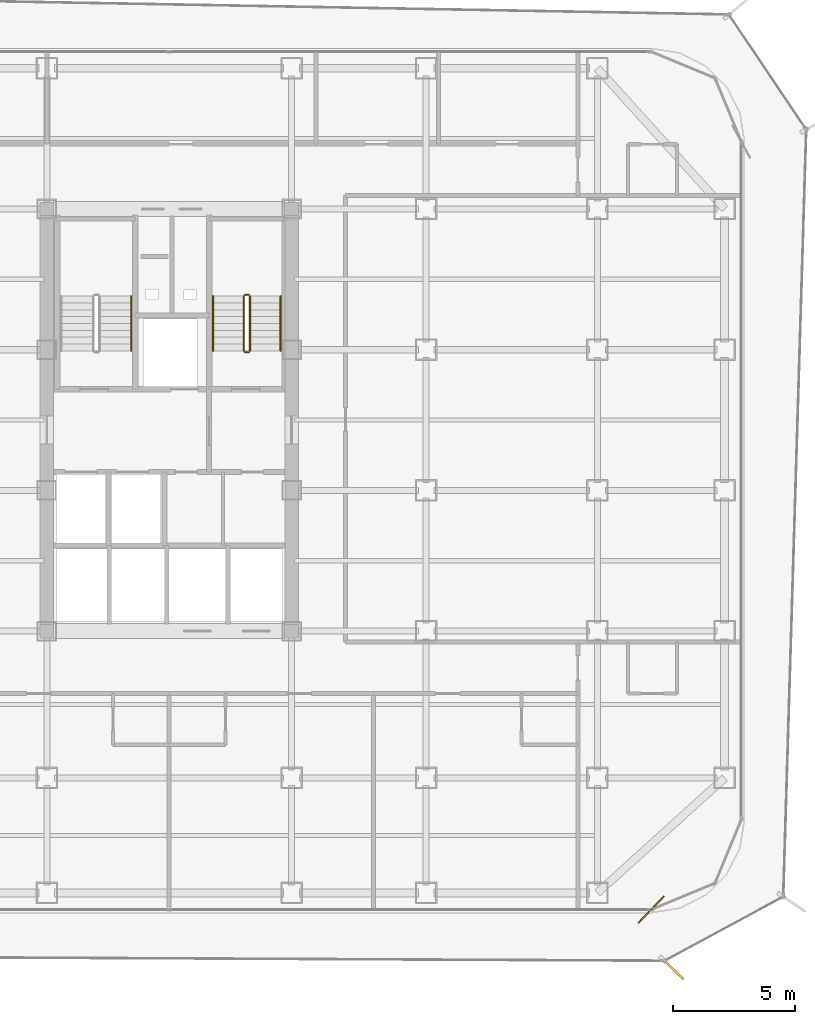
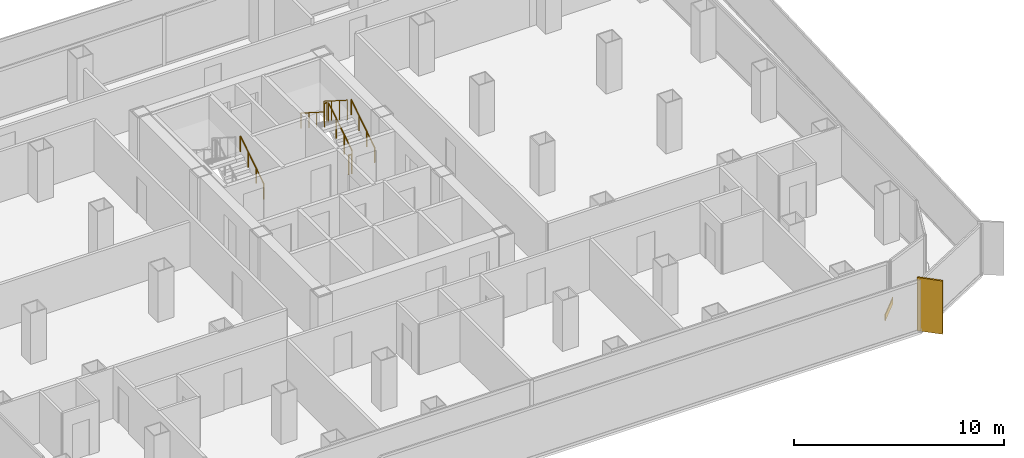
# One storey, part 20 of 21: 7 railings, 1 covering, 1 shading device.
"""IFC4 building model written with IfcOpenShell, lengths in metres."""

from ifc_helpers import new_model, si_unit, direction, frame, origin, origin_2d, place, context, subcontext, project, spatial, rectangle, circle, extrude, source, transform, mapped, material, layer, layer_set, type_object, element, save


model = new_model("IFC4")

# Units and contexts
model_context = context("Model", 3, precision=1e-05, world=origin(), true_north=direction((0.0, 1.0)))
body_context = subcontext(model_context, "Body", "Model", "MODEL_VIEW")
ifc_project = project(units=[si_unit("LENGTHUNIT", "METRE"), si_unit("AREAUNIT", "SQUARE_METRE"), si_unit("VOLUMEUNIT", "CUBIC_METRE"), si_unit("PLANEANGLEUNIT", "RADIAN"), si_unit("MASSUNIT", "GRAM", prefix="KILO")], contexts=[model_context])

# Site, building, storey
site_placement = place(None, origin())
site = spatial("IfcSite", under=ifc_project, at=site_placement, CompositionType="ELEMENT")
building_placement = place(site_placement, origin())
building = spatial("IfcBuilding", under=site, at=building_placement, Name="Kolveth Station Tower", CompositionType="ELEMENT")
storey_placement = place(building_placement, frame((0.0, 0.0, 92.699951171875)))
storey = spatial("IfcBuildingStorey", under=building, at=storey_placement, Name="L24", CompositionType="ELEMENT", Elevation=92.699951171875)

# Railings
ifc_material_1 = material(Name="Painted Steel S355 balustrade", Category="steel")
railing_type_1 = type_object("IfcRailingType", Name="Guard_GR2", PredefinedType="BALUSTRADE", material=ifc_material_1)
railing_1_placement = place(storey_placement, frame((26.800048828125, 22.949951171875, 0.177734375)))
element("IfcRailing", 1, at=railing_1_placement, inside=storey, type_object=railing_type_1, Name="L24 ST2 stair guard 1", PredefinedType="BALUSTRADE", context=body_context, shape_type="SweptSolid", body=[
    extrude(circle(Radius=0.02392578125, at=origin_2d()), frame((0.0, 0.0, 1.1259765625), z_axis=(0.0, 0.84418770128, 0.536047689118), x_axis=(-1.0, 0.0, 0.0)), (0.0, 0.0, 1.0), 2.6533203125),
    extrude(circle(Radius=0.02099609375, at=origin_2d()), origin(), (0.0, 0.0, 1.0), 1.101806640625),
    extrude(circle(Radius=0.02099609375, at=origin_2d()), frame((0.0, 0.74658203125, 0.47412109375)), (0.0, 0.0, 1.0), 1.101806640625),
    extrude(circle(Radius=0.02099609375, at=origin_2d()), frame((0.0, 1.493408203125, 0.9482421875)), (0.0, 0.0, 1.0), 1.101806640625),
    extrude(circle(Radius=0.02099609375, at=origin_2d()), frame((0.0, 2.239990234375, 1.42236328125)), (0.0, 0.0, 1.0), 1.101806640625),
])
railing_2_placement = place(storey_placement, frame((26.75, 25.239990234375, 1.60009765625)))
element("IfcRailing", 2, at=railing_2_placement, inside=storey, type_object=railing_type_1, Name="L24 ST2 stair guard 2", PredefinedType="BALUSTRADE", context=body_context, shape_type="SweptSolid", body=[
    extrude(circle(Radius=0.02392578125, at=origin_2d()), frame((0.0, 0.0, 1.1259765625), z_axis=(-1.0, 0.0, 0.0), x_axis=(0.0, -1.0, 0.0)), (0.0, 0.0, 1.0), 0.159912109375),
    extrude(circle(Radius=0.02099609375, at=origin_2d()), origin(), (0.0, 0.0, 1.0), 1.101806640625),
    extrude(circle(Radius=0.02099609375, at=origin_2d()), frame((-0.159912109375, 0.0, 0.0)), (0.0, 0.0, 1.0), 1.101806640625),
])
railing_3_placement = place(storey_placement, frame((26.5400390625, 25.18994140625, 1.77783203125)))
element("IfcRailing", 3, at=railing_3_placement, inside=storey, type_object=railing_type_1, Name="L24 ST2 stair guard 3", PredefinedType="BALUSTRADE", context=body_context, shape_type="SweptSolid", body=[
    extrude(circle(Radius=0.02392578125, at=origin_2d()), frame((0.0, 0.0, 1.1259765625), z_axis=(0.0, -0.8442293374, 0.53598211339), x_axis=(1.0, 0.0, 0.0)), (0.0, 0.0, 1.0), 2.6533203125),
    extrude(circle(Radius=0.02099609375, at=origin_2d()), origin(), (0.0, 0.0, 1.0), 1.101806640625),
    extrude(circle(Radius=0.02099609375, at=origin_2d()), frame((0.0, -0.74658203125, 0.47412109375)), (0.0, 0.0, 1.0), 1.101806640625),
    extrude(circle(Radius=0.02099609375, at=origin_2d()), frame((0.0, -1.493408203125, 0.947998046875)), (0.0, 0.0, 1.0), 1.101806640625),
    extrude(circle(Radius=0.02099609375, at=origin_2d()), frame((0.0, -2.239990234375, 1.422119140625)), (0.0, 0.0, 1.0), 1.101806640625),
])
railing_4_placement = place(storey_placement, frame((26.75, 22.89990234375, 0.0)))
element("IfcRailing", 4, at=railing_4_placement, inside=storey, type_object=railing_type_1, Name="L24 ST2 stair guard 4", PredefinedType="BALUSTRADE", context=body_context, shape_type="SweptSolid", body=[
    extrude(circle(Radius=0.02392578125, at=origin_2d()), frame((0.0, 0.0, 1.1259765625), z_axis=(-1.0, 0.0, 0.0), x_axis=(0.0, -1.0, 0.0)), (0.0, 0.0, 1.0), 0.159912109375),
    extrude(circle(Radius=0.02099609375, at=origin_2d()), origin(), (0.0, 0.0, 1.0), 1.101806640625),
    extrude(circle(Radius=0.02099609375, at=origin_2d()), frame((-0.159912109375, 0.0, 0.0)), (0.0, 0.0, 1.0), 1.101806640625),
])
ifc_material_2 = material(Name="Brushed stainless steel", Category="steel")
railing_type_2 = type_object("IfcRailingType", Name="Handrail_HR1", PredefinedType="HANDRAIL", material=ifc_material_2)
for number, where, name in (
    (5, (21.949951171875, 22.949951171875, 0.177734375), "L24 ST1 stair handrail 1"),
    (6, (28.050048828125, 22.949951171875, 0.177734375), "L24 ST2 stair handrail 1"),
):
    element("IfcRailing", number, at=place(storey_placement, frame(where)), inside=storey, type_object=railing_type_2, Name=name, PredefinedType="HANDRAIL", context=body_context, shape_type="SweptSolid", body=[
        extrude(circle(Radius=0.02392578125, at=origin_2d()), frame((0.0, 0.0, 0.8759765625), z_axis=(0.0, 0.84418770128, 0.536047689118), x_axis=(-1.0, 0.0, 0.0)), (0.0, 0.0, 1.0), 2.6533203125),
        extrude(circle(Radius=0.02099609375, at=origin_2d()), origin(), (0.0, 0.0, 1.0), 0.851806640625),
        extrude(circle(Radius=0.02099609375, at=origin_2d()), frame((0.0, 0.74658203125, 0.47412109375)), (0.0, 0.0, 1.0), 0.851806640625),
        extrude(circle(Radius=0.02099609375, at=origin_2d()), frame((0.0, 1.493408203125, 0.9482421875)), (0.0, 0.0, 1.0), 0.851806640625),
        extrude(circle(Radius=0.02099609375, at=origin_2d()), frame((0.0, 2.239990234375, 1.42236328125)), (0.0, 0.0, 1.0), 0.851806640625),
    ])
railing_5_placement = place(storey_placement, frame((25.2900390625, 25.18994140625, 1.77783203125)))
element("IfcRailing", 7, at=railing_5_placement, inside=storey, type_object=railing_type_2, Name="L24 ST2 stair handrail 2", PredefinedType="HANDRAIL", context=body_context, shape_type="SweptSolid", body=[
    extrude(circle(Radius=0.02392578125, at=origin_2d()), frame((0.0, 0.0, 0.8759765625), z_axis=(0.0, -0.8442293374, 0.53598211339), x_axis=(1.0, 0.0, 0.0)), (0.0, 0.0, 1.0), 2.6533203125),
    extrude(circle(Radius=0.02099609375, at=origin_2d()), origin(), (0.0, 0.0, 1.0), 0.851806640625),
    extrude(circle(Radius=0.02099609375, at=origin_2d()), frame((0.0, -0.74658203125, 0.47412109375)), (0.0, 0.0, 1.0), 0.851806640625),
    extrude(circle(Radius=0.02099609375, at=origin_2d()), frame((0.0, -1.493408203125, 0.947998046875)), (0.0, 0.0, 1.0), 0.851806640625),
    extrude(circle(Radius=0.02099609375, at=origin_2d()), frame((0.0, -2.239990234375, 1.422119140625)), (0.0, 0.0, 1.0), 0.851806640625),
])

# Shading device
ifc_material_3 = material(Name="Black anodized aluminium 6063-T6", Category="aluminium")
shading_device_type = type_object("IfcShadingDeviceType", Name="FIN_VF1", PredefinedType="USERDEFINED", material=ifc_material_3)
shared_shape_1 = source(origin(), body_context, "Body", "SweptSolid", [
    extrude(rectangle(XDim=1.25, YDim=0.090087890625, at=origin_2d()), origin(), (0.0, 0.0, 1.0), 3.10009765625),
])
shading_device_placement = place(storey_placement, frame((44.06494140625, -2.2919921875, 0.0), z_axis=(0.0, 0.0, 1.0), x_axis=(0.717883334625, -0.696163427557, 0.0)))
element("IfcShadingDevice", 8, at=shading_device_placement, inside=storey, type_object=shading_device_type, Name="L24 Dark-Aluminium Solar Fin 1", ObjectType="FIN", PredefinedType="USERDEFINED", context=body_context, shape_type="MappedRepresentation", body=[
    mapped(shared_shape_1, transform((0.0, 0.0, 0.0), x_axis=(1.0, 0.0, 0.0), y_axis=(0.0, 1.0, 0.0), z_axis=(0.0, 0.0, 1.0), scale=1.0)),
])

# Covering
ifc_material_4 = material(Name="Charcoal anodized aluminium spandrel cladding", Category="aluminium")
ifc_layer = layer(ifc_material_4, 0.044921875)
ifc_layer_set = layer_set([ifc_layer], Name="Charcoal anodized aluminium spandrel cladding")
covering_type = type_object("IfcCoveringType", Name="Clad_CD1", PredefinedType="CLADDING", material=ifc_layer_set)
shared_shape_2 = source(origin(), body_context, "Body", "SweptSolid", [
    extrude(rectangle(XDim=1.5, YDim=0.044921875, at=origin_2d()), origin(), (0.0, 0.0, 1.0), 0.360107421875),
])
covering_placement = place(storey_placement, frame((43.199951171875, 0.1201171875, 0.0), z_axis=(0.0, 0.0, 1.0), x_axis=(0.696163427557, 0.717883334625, 0.0)))
element("IfcCovering", 9, at=covering_placement, inside=storey, type_object=covering_type, Name="L24 Spandrel Edge Cladding 1", PredefinedType="CLADDING", context=body_context, shape_type="MappedRepresentation", body=[
    mapped(shared_shape_2, transform((0.0, 0.0, 0.0), x_axis=(1.0, 0.0, 0.0), y_axis=(0.0, 1.0, 0.0), z_axis=(0.0, 0.0, 1.0), scale=1.0)),
])

save(model, "model.ifc")
